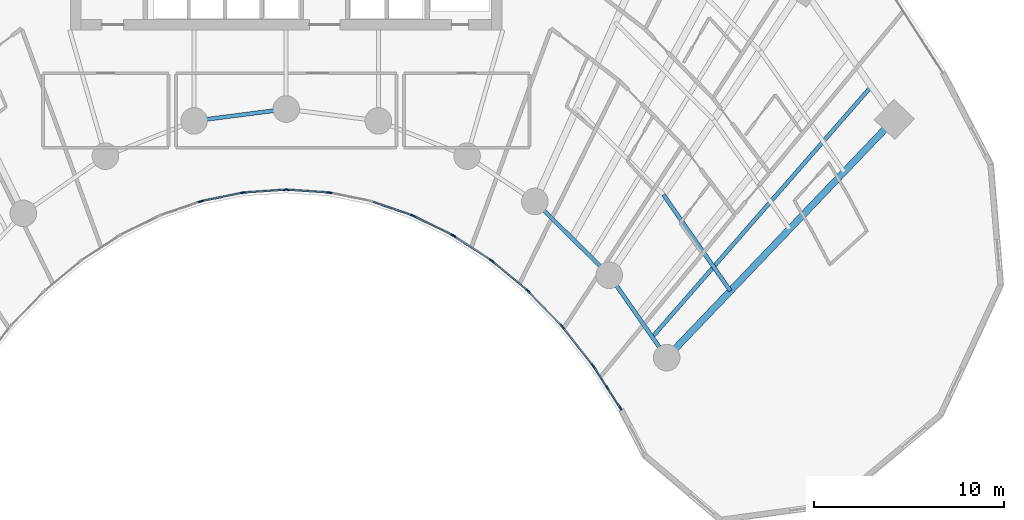
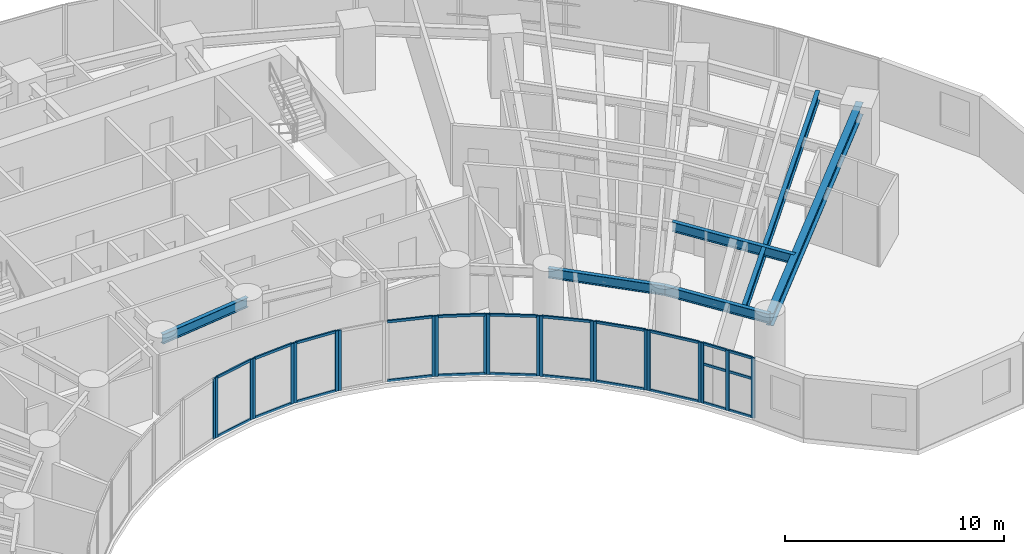
# One storey, part 4 of 18: 46 members, 6 beams, 12 elements without a shape of their own.
"""IFC4 building model written with IfcOpenShell, lengths in metres."""

from ifc_helpers import new_model, si_unit, direction, frame, origin, origin_2d, place, context, subcontext, project, spatial, rectangle, i_section, extrude, source, transform, mapped, material, layer, layer_set, material_profile, profile_set, type_object, type_shapes, element, aggregate, save


model = new_model("IFC4")

# Units and contexts
model_context = context("Model", 3, precision=1e-05, world=origin(), true_north=direction((0.0, 1.0)))
body_context = subcontext(model_context, "Body", "Model", "MODEL_VIEW")
ifc_project = project(units=[si_unit("LENGTHUNIT", "METRE"), si_unit("AREAUNIT", "SQUARE_METRE"), si_unit("VOLUMEUNIT", "CUBIC_METRE"), si_unit("PLANEANGLEUNIT", "RADIAN"), si_unit("MASSUNIT", "GRAM", prefix="KILO")], contexts=[model_context])

# Site, building, storey
site_placement = place(None, origin())
site = spatial("IfcSite", under=ifc_project, at=site_placement, CompositionType="ELEMENT")
building_placement = place(site_placement, origin())
building = spatial("IfcBuilding", under=site, at=building_placement, Name="Breltana Convention Tower", CompositionType="ELEMENT")
storey_placement = place(building_placement, frame((0.0, 0.0, 39.0)))
storey = spatial("IfcBuildingStorey", under=building, at=storey_placement, Name="L07", CompositionType="ELEMENT", Elevation=39.0)

# Beams
ifc_material_1 = material(Name="Steel ASTM A992 Grade 50", Category="steel")
ifc_material_profile_1 = material_profile(ifc_material_1, i_section(OverallWidth=0.35498046875, OverallDepth=0.696044921875, WebThickness=0.015380859375, FlangeThickness=0.02490234375, at=origin_2d()), Name="W27X146")
ifc_profile_set_1 = profile_set([ifc_material_profile_1], Name="Steel ASTM A992 Grade 50")
beam_type_1 = type_object("IfcBeamType", Name="BM-RG-W27X146", PredefinedType="USERDEFINED", material=ifc_profile_set_1)
shared_shape_1 = source(origin(), body_context, "Body", "SweptSolid", [
    extrude(i_section(OverallWidth=0.35498046875, OverallDepth=0.696044921875, WebThickness=0.015380859375, FlangeThickness=0.02490234375, at=origin_2d()), origin(), (0.0, 0.0, 1.0), 17.341064453125),
])
type_shapes(beam_type_1, [shared_shape_1])
beam_1_placement = place(storey_placement, frame((68.015380859375, 42.95458984375, 3.011962890625), z_axis=(0.690716462293, 0.723125693581, 0.0), x_axis=(-0.723125693581, 0.690716462293, 0.0)))
element("IfcBeam", 1, at=beam_1_placement, inside=storey, type_object=beam_type_1, Name="L07 Radial Floor Girder R11", ObjectType="GIRDER", PredefinedType="USERDEFINED", context=body_context, shape_type="MappedRepresentation", body=[
    mapped(shared_shape_1, transform((0.0, 0.0, 0.0), scale=1.0)),
])
ifc_material_profile_2 = material_profile(ifc_material_1, i_section(OverallWidth=0.2099609375, OverallDepth=0.537109375, WebThickness=0.010986328125, FlangeThickness=0.017333984375, at=origin_2d()), Name="W21X68")
ifc_profile_set_2 = profile_set([ifc_material_profile_2], Name="Steel ASTM A992 Grade 50")
beam_type_2 = type_object("IfcBeamType", Name="BM-BM-W21X68", PredefinedType="BEAM", material=ifc_profile_set_2)
shared_shape_2 = source(origin(), body_context, "Body", "SweptSolid", [
    extrude(i_section(OverallWidth=0.2099609375, OverallDepth=0.537109375, WebThickness=0.010986328125, FlangeThickness=0.017333984375, at=origin_2d()), origin(), (0.0, 0.0, 1.0), 4.88671875),
])
beam_2_placement = place(storey_placement, frame((43.153564453125, 55.41064453125, 3.091552734375), z_axis=(0.991780525565, 0.127950729231, 0.0), x_axis=(-0.127950729231, 0.991780525565, 0.0)))
element("IfcBeam", 2, at=beam_2_placement, inside=storey, type_object=beam_type_2, Name="L07 Inner Ring Beam 05", PredefinedType="BEAM", context=body_context, shape_type="MappedRepresentation", body=[
    mapped(shared_shape_2, transform((0.0, 0.0, 0.0), scale=1.0)),
])
shared_shape_3 = source(origin(), body_context, "Body", "SweptSolid", [
    extrude(i_section(OverallWidth=0.2099609375, OverallDepth=0.537109375, WebThickness=0.010986328125, FlangeThickness=0.017333984375, at=origin_2d()), origin(), (0.0, 0.0, 1.0), 5.51171875),
])
beam_3_placement = place(storey_placement, frame((61.08203125, 51.174560546875, 3.091552734375), z_axis=(0.710090360749, -0.704110559196, 0.0), x_axis=(0.704110559196, 0.710090360749, 0.0)))
element("IfcBeam", 3, at=beam_3_placement, inside=storey, type_object=beam_type_2, Name="L07 Inner Ring Beam 09", PredefinedType="BEAM", context=body_context, shape_type="MappedRepresentation", body=[
    mapped(shared_shape_3, transform((0.0, 0.0, 0.0), scale=1.0)),
])
shared_shape_4 = source(origin(), body_context, "Body", "SweptSolid", [
    extrude(i_section(OverallWidth=0.2099609375, OverallDepth=0.537109375, WebThickness=0.010986328125, FlangeThickness=0.017333984375, at=origin_2d()), origin(), (0.0, 0.0, 1.0), 5.286376953125),
])
beam_4_placement = place(storey_placement, frame((64.995849609375, 47.293701171875, 3.091552734375), z_axis=(0.571194382458, -0.82081482531, 0.0), x_axis=(0.82081482531, 0.571194382458, 0.0)))
element("IfcBeam", 4, at=beam_4_placement, inside=storey, type_object=beam_type_2, Name="L07 Inner Ring Beam 10", PredefinedType="BEAM", context=body_context, shape_type="MappedRepresentation", body=[
    mapped(shared_shape_4, transform((0.0, 0.0, 0.0), scale=1.0)),
])
ifc_material_profile_3 = material_profile(ifc_material_1, i_section(OverallWidth=0.2099609375, OverallDepth=0.537109375, WebThickness=0.010986328125, FlangeThickness=0.017333984375, at=origin_2d()), Name="W21X68")
ifc_profile_set_3 = profile_set([ifc_material_profile_3], Name="Steel ASTM A992 Grade 50")
beam_type_3 = type_object("IfcBeamType", Name="BM-JSG-04", PredefinedType="JOIST", material=ifc_profile_set_3)
shared_shape_5 = source(origin(), body_context, "Body", "SweptSolid", [
    extrude(i_section(OverallWidth=0.2099609375, OverallDepth=0.537109375, WebThickness=0.010986328125, FlangeThickness=0.017333984375, at=origin_2d()), origin(), (0.0, 0.0, 1.0), 6.172119140625),
])
beam_5_placement = place(storey_placement, frame((67.84375, 51.531982421875, 3.091552734375), z_axis=(0.571211663392, -0.820802799462, 0.0), x_axis=(0.820802799462, 0.571211663392, 0.0)))
element("IfcBeam", 5, at=beam_5_placement, inside=storey, type_object=beam_type_3, Name="L07 Composite Floor Joist 10.1", PredefinedType="JOIST", context=body_context, shape_type="MappedRepresentation", body=[
    mapped(shared_shape_5, transform((0.0, 0.0, 0.0), scale=1.0)),
])
shared_shape_6 = source(origin(), body_context, "Body", "SweptSolid", [
    extrude(i_section(OverallWidth=0.2099609375, OverallDepth=0.537109375, WebThickness=0.010986328125, FlangeThickness=0.017333984375, at=origin_2d()), origin(), (0.0, 0.0, 1.0), 17.515625),
])
beam_6_placement = place(storey_placement, frame((67.260498046875, 44.03955078125, 3.091552734375), z_axis=(0.658051548324, 0.752972881151, 0.0), x_axis=(-0.752972881151, 0.658051548324, 0.0)))
element("IfcBeam", 6, at=beam_6_placement, inside=storey, type_object=beam_type_3, Name="L07 Quarter-Bay Radial Trimmer 10", PredefinedType="JOIST", context=body_context, shape_type="MappedRepresentation", body=[
    mapped(shared_shape_6, transform((0.0, 0.0, 0.0), scale=1.0)),
])

# Curtain wall, members
ifc_material_2 = material(Name="Aluminium Anodised Bronze Frame", Category="aluminium")
ifc_layer = layer(ifc_material_2, 0.18994140625, Name="Aluminium Anodised Bronze Frame")
ifc_layer_set = layer_set([ifc_layer], Name="Aluminium Anodised Bronze Frame")
curtain_wall_type = type_object("IfcCurtainWallType", Name="CW-SYS-1", PredefinedType="NOTDEFINED", material=ifc_layer_set)
curtain_wall_1_placement = place(storey_placement, origin())
curtain_wall_1 = element("IfcCurtainWall", 7, at=curtain_wall_1_placement, inside=storey, type_object=curtain_wall_type, Name="L07 inner south-court glazing 3", PredefinedType="NOTDEFINED")
ifc_material_3 = material(Name="Aluminium Anodised Bronze", Category="aluminium")
ifc_material_profile_4 = material_profile(ifc_material_3, rectangle(XDim=0.080078125, YDim=0.139892578125, at=origin_2d()), Name="CWT-80X140")
ifc_profile_set_4 = profile_set([ifc_material_profile_4], Name="Aluminium Anodised Bronze")
member_type_1 = type_object("IfcMemberType", Name="CWT-140", PredefinedType="USERDEFINED", material=ifc_profile_set_4)
shared_shape_7 = source(origin(), body_context, "Body", "SweptSolid", [
    extrude(rectangle(XDim=0.080078125, YDim=0.139892578125, at=origin_2d()), origin(), (0.0, 0.0, 1.0), 2.38720703125),
])
type_shapes(member_type_1, [shared_shape_7])
member_1_placement = place(storey_placement, frame((62.4560546875, 44.667724609375, 0.0400390625), z_axis=(-0.694623715393, 0.719373264734, 0.0), x_axis=(-0.719373264734, -0.694623715393, 0.0)))
member_1 = element("IfcMember", 8, at=member_1_placement, type_object=member_type_1, Name="CW-01 transom 1.1", ObjectType="TRANSOM", PredefinedType="USERDEFINED", context=body_context, shape_type="MappedRepresentation", body=[
    mapped(shared_shape_7, transform((0.0, 0.0, 0.0), scale=1.0)),
])
member_2_placement = place(storey_placement, frame((62.4560546875, 44.667724609375, 3.320068359375), z_axis=(-0.694623715393, 0.719373264734, 0.0), x_axis=(-0.719373264734, -0.694623715393, 0.0)))
member_2 = element("IfcMember", 9, at=member_2_placement, type_object=member_type_1, Name="CW-01 transom 1.2", ObjectType="TRANSOM", PredefinedType="USERDEFINED", context=body_context, shape_type="MappedRepresentation", body=[
    mapped(shared_shape_7, transform((0.0, 0.0, 0.0), scale=1.0)),
])

curtain_wall_2_placement = place(storey_placement, origin())
curtain_wall_2 = element("IfcCurtainWall", 10, at=curtain_wall_2_placement, inside=storey, type_object=curtain_wall_type, Name="L07 inner south-court glazing 4", PredefinedType="NOTDEFINED")
shared_shape_8 = source(origin(), body_context, "Body", "SweptSolid", [
    extrude(rectangle(XDim=0.080078125, YDim=0.139892578125, at=origin_2d()), origin(), (0.0, 0.0, 1.0), 2.312255859375),
])
member_3_placement = place(storey_placement, frame((60.666748046875, 46.5068359375, 0.0400390625), z_axis=(-0.767900974507, 0.640568570374, 0.0), x_axis=(-0.640568570374, -0.767900974507, 0.0)))
member_3 = element("IfcMember", 11, at=member_3_placement, type_object=member_type_1, Name="CW-01 transom 1.1", ObjectType="TRANSOM", PredefinedType="USERDEFINED", context=body_context, shape_type="MappedRepresentation", body=[
    mapped(shared_shape_8, transform((0.0, 0.0, 0.0), scale=1.0)),
])
member_4_placement = place(storey_placement, frame((60.666748046875, 46.5068359375, 3.320068359375), z_axis=(-0.767900974507, 0.640568570374, 0.0), x_axis=(-0.640568570374, -0.767900974507, 0.0)))
member_4 = element("IfcMember", 12, at=member_4_placement, type_object=member_type_1, Name="CW-01 transom 1.2", ObjectType="TRANSOM", PredefinedType="USERDEFINED", context=body_context, shape_type="MappedRepresentation", body=[
    mapped(shared_shape_8, transform((0.0, 0.0, 0.0), scale=1.0)),
])

curtain_wall_3_placement = place(storey_placement, origin())
curtain_wall_3 = element("IfcCurtainWall", 13, at=curtain_wall_3_placement, inside=storey, type_object=curtain_wall_type, Name="L07 inner south-court glazing 5", PredefinedType="NOTDEFINED")
shared_shape_9 = source(origin(), body_context, "Body", "SweptSolid", [
    extrude(rectangle(XDim=0.080078125, YDim=0.139892578125, at=origin_2d()), origin(), (0.0, 0.0, 1.0), 2.2421875),
])
member_5_placement = place(storey_placement, frame((58.746337890625, 48.095458984375, 0.0400390625), z_axis=(-0.835982353773, 0.548756324957, 0.0), x_axis=(-0.548756324957, -0.835982353773, 0.0)))
member_5 = element("IfcMember", 14, at=member_5_placement, type_object=member_type_1, Name="CW-01 transom 1.1", ObjectType="TRANSOM", PredefinedType="USERDEFINED", context=body_context, shape_type="MappedRepresentation", body=[
    mapped(shared_shape_9, transform((0.0, 0.0, 0.0), scale=1.0)),
])
member_6_placement = place(storey_placement, frame((58.746337890625, 48.095458984375, 3.320068359375), z_axis=(-0.835982353773, 0.548756324957, 0.0), x_axis=(-0.548756324957, -0.835982353773, 0.0)))
member_6 = element("IfcMember", 15, at=member_6_placement, type_object=member_type_1, Name="CW-01 transom 1.2", ObjectType="TRANSOM", PredefinedType="USERDEFINED", context=body_context, shape_type="MappedRepresentation", body=[
    mapped(shared_shape_9, transform((0.0, 0.0, 0.0), scale=1.0)),
])

curtain_wall_4_placement = place(storey_placement, origin())
curtain_wall_4 = element("IfcCurtainWall", 16, at=curtain_wall_4_placement, inside=storey, type_object=curtain_wall_type, Name="L07 inner south-court glazing 6", PredefinedType="NOTDEFINED")
shared_shape_10 = source(origin(), body_context, "Body", "SweptSolid", [
    extrude(rectangle(XDim=0.080078125, YDim=0.139892578125, at=origin_2d()), origin(), (0.0, 0.0, 1.0), 2.180908203125),
])
member_7_placement = place(storey_placement, frame((56.71435546875, 49.416015625, 0.0400390625), z_axis=(-0.895922266369, 0.444210865045, 0.0), x_axis=(-0.444210865045, -0.895922266369, 0.0)))
member_7 = element("IfcMember", 17, at=member_7_placement, type_object=member_type_1, Name="CW-01 transom 1.1", ObjectType="TRANSOM", PredefinedType="USERDEFINED", context=body_context, shape_type="MappedRepresentation", body=[
    mapped(shared_shape_10, transform((0.0, 0.0, 0.0), scale=1.0)),
])
member_8_placement = place(storey_placement, frame((56.71435546875, 49.416015625, 3.320068359375), z_axis=(-0.895922266369, 0.444210865045, 0.0), x_axis=(-0.444210865045, -0.895922266369, 0.0)))
member_8 = element("IfcMember", 18, at=member_8_placement, type_object=member_type_1, Name="CW-01 transom 1.2", ObjectType="TRANSOM", PredefinedType="USERDEFINED", context=body_context, shape_type="MappedRepresentation", body=[
    mapped(shared_shape_10, transform((0.0, 0.0, 0.0), scale=1.0)),
])

curtain_wall_5_placement = place(storey_placement, origin())
curtain_wall_5 = element("IfcCurtainWall", 19, at=curtain_wall_5_placement, inside=storey, type_object=curtain_wall_type, Name="L07 inner south-court glazing 9", PredefinedType="NOTDEFINED")
shared_shape_11 = source(origin(), body_context, "Body", "SweptSolid", [
    extrude(rectangle(XDim=0.080078125, YDim=0.139892578125, at=origin_2d()), origin(), (0.0, 0.0, 1.0), 2.07861328125),
])
member_9_placement = place(storey_placement, frame((50.165771484375, 51.6474609375, 0.0400390625), z_axis=(-0.997708627147, 0.067657189691, 0.0), x_axis=(-0.067657189691, -0.997708627147, 0.0)))
member_9 = element("IfcMember", 20, at=member_9_placement, type_object=member_type_1, Name="CW-01 transom 1.1", ObjectType="TRANSOM", PredefinedType="USERDEFINED", context=body_context, shape_type="MappedRepresentation", body=[
    mapped(shared_shape_11, transform((0.0, 0.0, 0.0), scale=1.0)),
])
member_10_placement = place(storey_placement, frame((50.165771484375, 51.6474609375, 3.320068359375), z_axis=(-0.997708627147, 0.067657189691, 0.0), x_axis=(-0.067657189691, -0.997708627147, 0.0)))
member_10 = element("IfcMember", 21, at=member_10_placement, type_object=member_type_1, Name="CW-01 transom 1.2", ObjectType="TRANSOM", PredefinedType="USERDEFINED", context=body_context, shape_type="MappedRepresentation", body=[
    mapped(shared_shape_11, transform((0.0, 0.0, 0.0), scale=1.0)),
])

curtain_wall_6_placement = place(storey_placement, origin())
curtain_wall_6 = element("IfcCurtainWall", 22, at=curtain_wall_6_placement, inside=storey, type_object=curtain_wall_type, Name="L07 inner south-court glazing 10", PredefinedType="NOTDEFINED")
member_11_placement = place(storey_placement, frame((47.907958984375, 51.7880859375, 0.0400390625), z_axis=(-0.997708627147, -0.067657189691, 0.0), x_axis=(0.067657189691, -0.997708627147, 0.0)))
member_11 = element("IfcMember", 23, at=member_11_placement, type_object=member_type_1, Name="CW-01 transom 1.1", ObjectType="TRANSOM", PredefinedType="USERDEFINED", context=body_context, shape_type="MappedRepresentation", body=[
    mapped(shared_shape_11, transform((0.0, 0.0, 0.0), scale=1.0)),
])
member_12_placement = place(storey_placement, frame((47.907958984375, 51.7880859375, 3.320068359375), z_axis=(-0.997708627147, -0.067657189691, 0.0), x_axis=(0.067657189691, -0.997708627147, 0.0)))
member_12 = element("IfcMember", 24, at=member_12_placement, type_object=member_type_1, Name="CW-01 transom 1.2", ObjectType="TRANSOM", PredefinedType="USERDEFINED", context=body_context, shape_type="MappedRepresentation", body=[
    mapped(shared_shape_11, transform((0.0, 0.0, 0.0), scale=1.0)),
])

curtain_wall_7_placement = place(storey_placement, origin())
curtain_wall_7 = element("IfcCurtainWall", 25, at=curtain_wall_7_placement, inside=storey, type_object=curtain_wall_type, Name="L07 inner south-court glazing 2", PredefinedType="NOTDEFINED")
shared_shape_12 = source(origin(), body_context, "Body", "SweptSolid", [
    extrude(rectangle(XDim=0.080078125, YDim=0.139892578125, at=origin_2d()), origin(), (0.0, 0.0, 1.0), 2.4638671875),
])
member_13_placement = place(storey_placement, frame((64.09619140625, 42.5966796875, 0.0400390625), z_axis=(-0.618184689608, 0.786032880695, 0.0), x_axis=(-0.786032880695, -0.618184689608, 0.0)))
member_13 = element("IfcMember", 26, at=member_13_placement, type_object=member_type_1, Name="CW-01 transom 1.1", ObjectType="TRANSOM", PredefinedType="USERDEFINED", context=body_context, shape_type="MappedRepresentation", body=[
    mapped(shared_shape_12, transform((0.0, 0.0, 0.0), scale=1.0)),
])
member_14_placement = place(storey_placement, frame((64.09619140625, 42.5966796875, 3.320068359375), z_axis=(-0.618184689608, 0.786032880695, 0.0), x_axis=(-0.786032880695, -0.618184689608, 0.0)))
member_14 = element("IfcMember", 27, at=member_14_placement, type_object=member_type_1, Name="CW-01 transom 1.2", ObjectType="TRANSOM", PredefinedType="USERDEFINED", context=body_context, shape_type="MappedRepresentation", body=[
    mapped(shared_shape_12, transform((0.0, 0.0, 0.0), scale=1.0)),
])

curtain_wall_8_placement = place(storey_placement, origin())
curtain_wall_8 = element("IfcCurtainWall", 28, at=curtain_wall_8_placement, inside=storey, type_object=curtain_wall_type, Name="L07 inner south-court glazing 1", PredefinedType="NOTDEFINED")
ifc_material_profile_5 = material_profile(ifc_material_3, rectangle(XDim=0.080078125, YDim=0.199951171875, at=origin_2d()), Name="CWM-80X200")
ifc_profile_set_5 = profile_set([ifc_material_profile_5], Name="Aluminium Anodised Bronze")
member_type_2 = type_object("IfcMemberType", Name="CWM-200", PredefinedType="MULLION", material=ifc_profile_set_5)
shared_shape_13 = source(origin(), body_context, "Body", "SweptSolid", [
    extrude(rectangle(XDim=0.080078125, YDim=0.199951171875, at=origin_2d()), origin(), (0.0, 0.0, 1.0), 3.360107421875),
])
member_15_placement = place(storey_placement, frame((65.59228515625, 40.281494140625, 0.0), z_axis=(0.0, 0.0, 1.0), x_axis=(-0.841556194767, -0.540169576197, 0.0)))
member_15 = element("IfcMember", 29, at=member_15_placement, type_object=member_type_2, Name="CW-01 mullion 1", PredefinedType="MULLION", context=body_context, shape_type="MappedRepresentation", body=[
    mapped(shared_shape_13, transform((0.0, 0.0, 0.0), scale=1.0)),
])
member_16_placement = place(storey_placement, frame((64.884765625, 41.3837890625, 0.0), z_axis=(0.0, 0.0, 1.0), x_axis=(-0.841556194767, -0.540169576197, 0.0)))
member_16 = element("IfcMember", 30, at=member_16_placement, type_object=member_type_2, Name="CW-01 mullion 2", PredefinedType="MULLION", context=body_context, shape_type="MappedRepresentation", body=[
    mapped(shared_shape_13, transform((0.0, 0.0, 0.0), scale=1.0)),
])
member_17_placement = place(storey_placement, frame((64.17724609375, 42.48583984375, 0.0), z_axis=(0.0, 0.0, 1.0), x_axis=(-0.841556194767, -0.540169576197, 0.0)))
member_17 = element("IfcMember", 31, at=member_17_placement, type_object=member_type_2, Name="CW-01 mullion 3", PredefinedType="MULLION", context=body_context, shape_type="MappedRepresentation", body=[
    mapped(shared_shape_13, transform((0.0, 0.0, 0.0), scale=1.0)),
])

# Member
member_18_placement = place(storey_placement, frame((64.12109375, 42.565185546875, 0.0), z_axis=(0.0, 0.0, 1.0), x_axis=(-0.786057762734, -0.61815305034, 0.0)))
member_18 = element("IfcMember", 32, at=member_18_placement, type_object=member_type_2, Name="CW-01 mullion 1", PredefinedType="MULLION", context=body_context, shape_type="MappedRepresentation", body=[
    mapped(shared_shape_13, transform((0.0, 0.0, 0.0), scale=1.0)),
])

member_19_placement = place(storey_placement, frame((62.54833984375, 44.56494140625, 0.0), z_axis=(0.0, 0.0, 1.0), x_axis=(-0.786057762734, -0.61815305034, 0.0)))
member_19 = element("IfcMember", 33, at=member_19_placement, type_object=member_type_2, Name="CW-01 mullion 2", PredefinedType="MULLION", context=body_context, shape_type="MappedRepresentation", body=[
    mapped(shared_shape_13, transform((0.0, 0.0, 0.0), scale=1.0)),
])

aggregate(curtain_wall_7, [member_18, member_19, member_13, member_14])

member_20_placement = place(storey_placement, frame((62.48388671875, 44.638916015625, 0.0), z_axis=(0.0, 0.0, 1.0), x_axis=(-0.719384548773, -0.694612029111, 0.0)))
member_20 = element("IfcMember", 34, at=member_20_placement, type_object=member_type_2, Name="CW-01 mullion 1", PredefinedType="MULLION", context=body_context, shape_type="MappedRepresentation", body=[
    mapped(shared_shape_13, transform((0.0, 0.0, 0.0), scale=1.0)),
])

member_21_placement = place(storey_placement, frame((60.77001953125, 46.413818359375, 0.0), z_axis=(0.0, 0.0, 1.0), x_axis=(-0.719384548773, -0.694612029111, 0.0)))
member_21 = element("IfcMember", 35, at=member_21_placement, type_object=member_type_2, Name="CW-01 mullion 2", PredefinedType="MULLION", context=body_context, shape_type="MappedRepresentation", body=[
    mapped(shared_shape_13, transform((0.0, 0.0, 0.0), scale=1.0)),
])

aggregate(curtain_wall_1, [member_20, member_21, member_1, member_2])

member_22_placement = place(storey_placement, frame((60.697265625, 46.481201171875, 0.0), z_axis=(0.0, 0.0, 1.0), x_axis=(-0.640522524458, -0.767939382804, 0.0)))
member_22 = element("IfcMember", 36, at=member_22_placement, type_object=member_type_2, Name="CW-01 mullion 1", PredefinedType="MULLION", context=body_context, shape_type="MappedRepresentation", body=[
    mapped(shared_shape_13, transform((0.0, 0.0, 0.0), scale=1.0)),
])

member_23_placement = place(storey_placement, frame((58.8603515625, 48.013671875, 0.0), z_axis=(0.0, 0.0, 1.0), x_axis=(-0.640522524458, -0.767939382804, 0.0)))
member_23 = element("IfcMember", 37, at=member_23_placement, type_object=member_type_2, Name="CW-01 mullion 2", PredefinedType="MULLION", context=body_context, shape_type="MappedRepresentation", body=[
    mapped(shared_shape_13, transform((0.0, 0.0, 0.0), scale=1.0)),
])

aggregate(curtain_wall_2, [member_22, member_23, member_3, member_4])

member_24_placement = place(storey_placement, frame((58.779541015625, 48.073486328125, 0.0), z_axis=(0.0, 0.0, 1.0), x_axis=(-0.548778278441, -0.835967942634, 0.0)))
member_24 = element("IfcMember", 38, at=member_24_placement, type_object=member_type_2, Name="CW-01 mullion 1", PredefinedType="MULLION", context=body_context, shape_type="MappedRepresentation", body=[
    mapped(shared_shape_13, transform((0.0, 0.0, 0.0), scale=1.0)),
])

member_25_placement = place(storey_placement, frame((56.83837890625, 49.347900390625, 0.0), z_axis=(0.0, 0.0, 1.0), x_axis=(-0.548778278441, -0.835967942634, 0.0)))
member_25 = element("IfcMember", 39, at=member_25_placement, type_object=member_type_2, Name="CW-01 mullion 2", PredefinedType="MULLION", context=body_context, shape_type="MappedRepresentation", body=[
    mapped(shared_shape_13, transform((0.0, 0.0, 0.0), scale=1.0)),
])

aggregate(curtain_wall_3, [member_24, member_25, member_5, member_6])

member_26_placement = place(storey_placement, frame((56.750244140625, 49.3984375, 0.0), z_axis=(0.0, 0.0, 1.0), x_axis=(-0.444117987602, -0.895968310315, 0.0)))
member_26 = element("IfcMember", 40, at=member_26_placement, type_object=member_type_2, Name="CW-01 mullion 1", PredefinedType="MULLION", context=body_context, shape_type="MappedRepresentation", body=[
    mapped(shared_shape_13, transform((0.0, 0.0, 0.0), scale=1.0)),
])

member_27_placement = place(storey_placement, frame((54.724609375, 50.40234375, 0.0), z_axis=(0.0, 0.0, 1.0), x_axis=(-0.444117987602, -0.895968310315, 0.0)))
member_27 = element("IfcMember", 41, at=member_27_placement, type_object=member_type_2, Name="CW-01 mullion 2", PredefinedType="MULLION", context=body_context, shape_type="MappedRepresentation", body=[
    mapped(shared_shape_13, transform((0.0, 0.0, 0.0), scale=1.0)),
])

aggregate(curtain_wall_4, [member_26, member_27, member_7, member_8])

# Curtain wall, member
curtain_wall_9_placement = place(storey_placement, origin())
curtain_wall_9 = element("IfcCurtainWall", 42, at=curtain_wall_9_placement, inside=storey, type_object=curtain_wall_type, Name="L07 inner south-court glazing 7", PredefinedType="NOTDEFINED")
member_28_placement = place(storey_placement, frame((54.6298828125, 50.442138671875, 0.0), z_axis=(0.0, 0.0, 1.0), x_axis=(-0.327413341714, -0.944881211406, 0.0)))
member_28 = element("IfcMember", 43, at=member_28_placement, type_object=member_type_2, Name="CW-01 mullion 1", PredefinedType="MULLION", context=body_context, shape_type="MappedRepresentation", body=[
    mapped(shared_shape_13, transform((0.0, 0.0, 0.0), scale=1.0)),
])

curtain_wall_10_placement = place(storey_placement, origin())
curtain_wall_10 = element("IfcCurtainWall", 44, at=curtain_wall_10_placement, inside=storey, type_object=curtain_wall_type, Name="L07 inner south-court glazing 8", PredefinedType="NOTDEFINED")
member_29_placement = place(storey_placement, frame((50.30859375, 51.630615234375, 0.0), z_axis=(0.0, 0.0, 1.0), x_axis=(-0.200886350278, -0.97961455393, 0.0)))
member_29 = element("IfcMember", 45, at=member_29_placement, type_object=member_type_2, Name="CW-01 mullion 2", PredefinedType="MULLION", context=body_context, shape_type="MappedRepresentation", body=[
    mapped(shared_shape_13, transform((0.0, 0.0, 0.0), scale=1.0)),
])
aggregate(curtain_wall_10, [member_29])

# Member
member_30_placement = place(storey_placement, frame((50.20556640625, 51.644775390625, 0.0), z_axis=(0.0, 0.0, 1.0), x_axis=(-0.067725752326, -0.997703975371, 0.0)))
member_30 = element("IfcMember", 46, at=member_30_placement, type_object=member_type_2, Name="CW-01 mullion 1", PredefinedType="MULLION", context=body_context, shape_type="MappedRepresentation", body=[
    mapped(shared_shape_13, transform((0.0, 0.0, 0.0), scale=1.0)),
])

member_31_placement = place(storey_placement, frame((48.052001953125, 51.790771484375, 0.0), z_axis=(0.0, 0.0, 1.0), x_axis=(-0.067725752326, -0.997703975371, 0.0)))
member_31 = element("IfcMember", 47, at=member_31_placement, type_object=member_type_2, Name="CW-01 mullion 2", PredefinedType="MULLION", context=body_context, shape_type="MappedRepresentation", body=[
    mapped(shared_shape_13, transform((0.0, 0.0, 0.0), scale=1.0)),
])

aggregate(curtain_wall_5, [member_30, member_31, member_9, member_10])

member_32_placement = place(storey_placement, frame((47.947998046875, 51.790771484375, 0.0), z_axis=(0.0, 0.0, 1.0), x_axis=(0.067725752326, -0.997703975371, 0.0)))
member_32 = element("IfcMember", 48, at=member_32_placement, type_object=member_type_2, Name="CW-01 mullion 1", PredefinedType="MULLION", context=body_context, shape_type="MappedRepresentation", body=[
    mapped(shared_shape_13, transform((0.0, 0.0, 0.0), scale=1.0)),
])

member_33_placement = place(storey_placement, frame((45.79443359375, 51.644775390625, 0.0), z_axis=(0.0, 0.0, 1.0), x_axis=(0.067725752326, -0.997703975371, 0.0)))
member_33 = element("IfcMember", 49, at=member_33_placement, type_object=member_type_2, Name="CW-01 mullion 2", PredefinedType="MULLION", context=body_context, shape_type="MappedRepresentation", body=[
    mapped(shared_shape_13, transform((0.0, 0.0, 0.0), scale=1.0)),
])

aggregate(curtain_wall_6, [member_32, member_33, member_11, member_12])

# Curtain wall, members
curtain_wall_11_placement = place(storey_placement, origin())
curtain_wall_11 = element("IfcCurtainWall", 50, at=curtain_wall_11_placement, inside=storey, type_object=curtain_wall_type, Name="L07 inner south-court glazing 11", PredefinedType="NOTDEFINED")
member_34_placement = place(storey_placement, frame((45.69140625, 51.630615234375, 0.0), z_axis=(0.0, 0.0, 1.0), x_axis=(0.200886350278, -0.97961455393, 0.0)))
member_34 = element("IfcMember", 51, at=member_34_placement, type_object=member_type_2, Name="CW-01 mullion 1", PredefinedType="MULLION", context=body_context, shape_type="MappedRepresentation", body=[
    mapped(shared_shape_13, transform((0.0, 0.0, 0.0), scale=1.0)),
])
member_35_placement = place(storey_placement, frame((43.55908203125, 51.193359375, 0.0), z_axis=(0.0, 0.0, 1.0), x_axis=(0.200886350278, -0.97961455393, 0.0)))
member_35 = element("IfcMember", 52, at=member_35_placement, type_object=member_type_2, Name="CW-01 mullion 2", PredefinedType="MULLION", context=body_context, shape_type="MappedRepresentation", body=[
    mapped(shared_shape_13, transform((0.0, 0.0, 0.0), scale=1.0)),
])

# Curtain wall, member
curtain_wall_12_placement = place(storey_placement, origin())
curtain_wall_12 = element("IfcCurtainWall", 53, at=curtain_wall_12_placement, inside=storey, type_object=curtain_wall_type, Name="L07 inner south-court glazing 12", PredefinedType="NOTDEFINED")
member_36_placement = place(storey_placement, frame((43.45947265625, 51.166015625, 0.0), z_axis=(0.0, 0.0, 1.0), x_axis=(0.327413341714, -0.944881211406, 0.0)))
member_36 = element("IfcMember", 54, at=member_36_placement, type_object=member_type_2, Name="CW-01 mullion 1", PredefinedType="MULLION", context=body_context, shape_type="MappedRepresentation", body=[
    mapped(shared_shape_13, transform((0.0, 0.0, 0.0), scale=1.0)),
])
aggregate(curtain_wall_12, [member_36])

# Member
shared_shape_14 = source(origin(), body_context, "Body", "SweptSolid", [
    extrude(rectangle(XDim=0.080078125, YDim=0.139892578125, at=origin_2d()), origin(), (0.0, 0.0, 1.0), 1.229736328125),
])
member_37_placement = place(storey_placement, frame((65.57080078125, 40.315185546875, 0.0400390625), z_axis=(-0.540185543357, 0.841545945714, 0.0), x_axis=(-0.841545945714, -0.540185543357, 0.0)))
member_37 = element("IfcMember", 55, at=member_37_placement, type_object=member_type_1, Name="CW-01 transom 1.1", ObjectType="TRANSOM", PredefinedType="USERDEFINED", context=body_context, shape_type="MappedRepresentation", body=[
    mapped(shared_shape_14, transform((0.0, 0.0, 0.0), scale=1.0)),
])

member_38_placement = place(storey_placement, frame((65.57080078125, 40.315185546875, 2.18408203125), z_axis=(-0.540185543357, 0.841545945714, 0.0), x_axis=(-0.841545945714, -0.540185543357, 0.0)))
member_38 = element("IfcMember", 56, at=member_38_placement, type_object=member_type_1, Name="CW-01 transom 1.2", ObjectType="TRANSOM", PredefinedType="USERDEFINED", context=body_context, shape_type="MappedRepresentation", body=[
    mapped(shared_shape_14, transform((0.0, 0.0, 0.0), scale=1.0)),
])

member_39_placement = place(storey_placement, frame((65.57080078125, 40.315185546875, 3.320068359375), z_axis=(-0.540185543357, 0.841545945714, 0.0), x_axis=(-0.841545945714, -0.540185543357, 0.0)))
member_39 = element("IfcMember", 57, at=member_39_placement, type_object=member_type_1, Name="CW-01 transom 1.3", ObjectType="TRANSOM", PredefinedType="USERDEFINED", context=body_context, shape_type="MappedRepresentation", body=[
    mapped(shared_shape_14, transform((0.0, 0.0, 0.0), scale=1.0)),
])

member_40_placement = place(storey_placement, frame((64.86328125, 41.41748046875, 0.0400390625), z_axis=(-0.540185543357, 0.841545945714, 0.0), x_axis=(-0.841545945714, -0.540185543357, 0.0)))
member_40 = element("IfcMember", 58, at=member_40_placement, type_object=member_type_1, Name="CW-01 transom 2.1", ObjectType="TRANSOM", PredefinedType="USERDEFINED", context=body_context, shape_type="MappedRepresentation", body=[
    mapped(shared_shape_14, transform((0.0, 0.0, 0.0), scale=1.0)),
])

member_41_placement = place(storey_placement, frame((64.86328125, 41.41748046875, 2.18408203125), z_axis=(-0.540185543357, 0.841545945714, 0.0), x_axis=(-0.841545945714, -0.540185543357, 0.0)))
member_41 = element("IfcMember", 59, at=member_41_placement, type_object=member_type_1, Name="CW-01 transom 2.2", ObjectType="TRANSOM", PredefinedType="USERDEFINED", context=body_context, shape_type="MappedRepresentation", body=[
    mapped(shared_shape_14, transform((0.0, 0.0, 0.0), scale=1.0)),
])

member_42_placement = place(storey_placement, frame((64.86328125, 41.41748046875, 3.320068359375), z_axis=(-0.540185543357, 0.841545945714, 0.0), x_axis=(-0.841545945714, -0.540185543357, 0.0)))
member_42 = element("IfcMember", 60, at=member_42_placement, type_object=member_type_1, Name="CW-01 transom 2.3", ObjectType="TRANSOM", PredefinedType="USERDEFINED", context=body_context, shape_type="MappedRepresentation", body=[
    mapped(shared_shape_14, transform((0.0, 0.0, 0.0), scale=1.0)),
])

aggregate(curtain_wall_8, [member_15, member_16, member_17, member_37, member_38, member_39, member_40, member_41, member_42])

shared_shape_15 = source(origin(), body_context, "Body", "SweptSolid", [
    extrude(rectangle(XDim=0.080078125, YDim=0.139892578125, at=origin_2d()), origin(), (0.0, 0.0, 1.0), 2.131103515625),
])
member_43_placement = place(storey_placement, frame((54.592041015625, 50.455078125, 0.0400390625), z_axis=(-0.944847069856, 0.327511854112, 0.0), x_axis=(-0.327511854112, -0.944847069856, 0.0)))
member_43 = element("IfcMember", 61, at=member_43_placement, type_object=member_type_1, Name="CW-01 transom 1.1", ObjectType="TRANSOM", PredefinedType="USERDEFINED", context=body_context, shape_type="MappedRepresentation", body=[
    mapped(shared_shape_15, transform((0.0, 0.0, 0.0), scale=1.0)),
])

member_44_placement = place(storey_placement, frame((54.592041015625, 50.455078125, 3.320068359375), z_axis=(-0.944847069856, 0.327511854112, 0.0), x_axis=(-0.327511854112, -0.944847069856, 0.0)))
member_44 = element("IfcMember", 62, at=member_44_placement, type_object=member_type_1, Name="CW-01 transom 1.2", ObjectType="TRANSOM", PredefinedType="USERDEFINED", context=body_context, shape_type="MappedRepresentation", body=[
    mapped(shared_shape_15, transform((0.0, 0.0, 0.0), scale=1.0)),
])

aggregate(curtain_wall_9, [member_28, member_43, member_44])

shared_shape_16 = source(origin(), body_context, "Body", "SweptSolid", [
    extrude(rectangle(XDim=0.080078125, YDim=0.139892578125, at=origin_2d()), origin(), (0.0, 0.0, 1.0), 2.096435546875),
])
member_45_placement = place(storey_placement, frame((45.652099609375, 51.62255859375, 0.0400390625), z_axis=(-0.979615042233, -0.200883969074, 0.0), x_axis=(0.200883969074, -0.979615042233, 0.0)))
member_45 = element("IfcMember", 63, at=member_45_placement, type_object=member_type_1, Name="CW-01 transom 1.1", ObjectType="TRANSOM", PredefinedType="USERDEFINED", context=body_context, shape_type="MappedRepresentation", body=[
    mapped(shared_shape_16, transform((0.0, 0.0, 0.0), scale=1.0)),
])

member_46_placement = place(storey_placement, frame((45.652099609375, 51.62255859375, 3.320068359375), z_axis=(-0.979615042233, -0.200883969074, 0.0), x_axis=(0.200883969074, -0.979615042233, 0.0)))
member_46 = element("IfcMember", 64, at=member_46_placement, type_object=member_type_1, Name="CW-01 transom 1.2", ObjectType="TRANSOM", PredefinedType="USERDEFINED", context=body_context, shape_type="MappedRepresentation", body=[
    mapped(shared_shape_16, transform((0.0, 0.0, 0.0), scale=1.0)),
])

aggregate(curtain_wall_11, [member_34, member_35, member_45, member_46])

save(model, "model.ifc")
